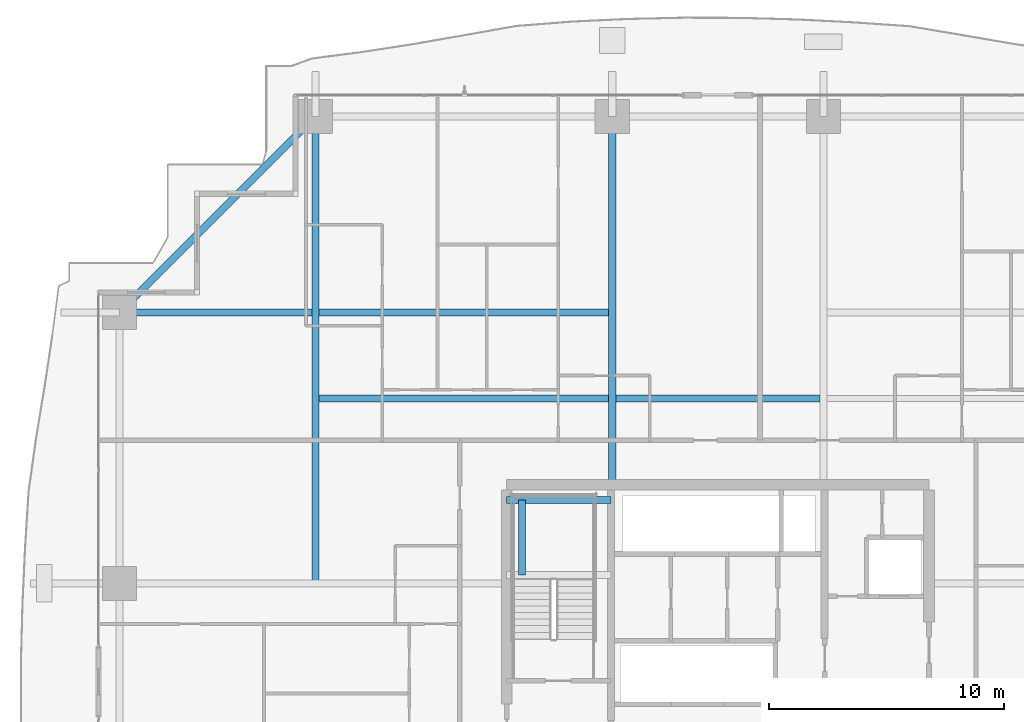
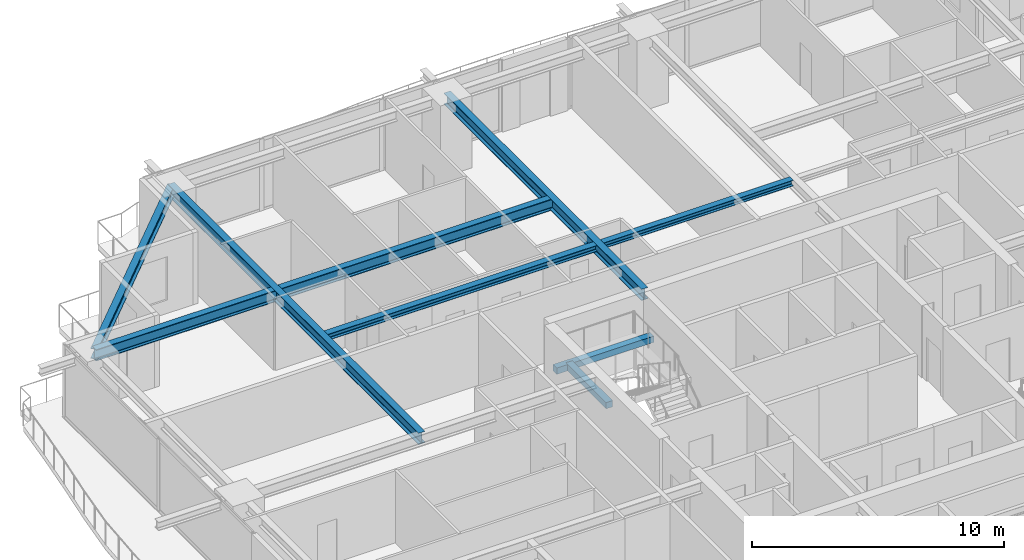
# One storey, part 16 of 36: 8 beams.
"""IFC4 building model written with IfcOpenShell, lengths in metres."""

from ifc_helpers import new_model, si_unit, direction, frame, origin, origin_2d, place, context, subcontext, project, spatial, rectangle, i_section, extrude, source, transform, mapped, material, material_profile, profile_set, type_object, element, save


model = new_model("IFC4")

# Units and contexts
model_context = context("Model", 3, precision=1e-05, world=origin(), true_north=direction((0.0, 1.0)))
body_context = subcontext(model_context, "Body", "Model", "MODEL_VIEW")
ifc_project = project(units=[si_unit("LENGTHUNIT", "METRE"), si_unit("AREAUNIT", "SQUARE_METRE"), si_unit("VOLUMEUNIT", "CUBIC_METRE"), si_unit("PLANEANGLEUNIT", "RADIAN"), si_unit("MASSUNIT", "GRAM", prefix="KILO")], contexts=[model_context])

# Site, building, storey
site_placement = place(None, origin())
site = spatial("IfcSite", under=ifc_project, at=site_placement, CompositionType="ELEMENT")
building_placement = place(site_placement, origin())
building = spatial("IfcBuilding", under=site, at=building_placement, Name="Serunith Strait Residences", CompositionType="ELEMENT")
storey_placement = place(building_placement, frame((0.0, 0.0, 41.699951171875)))
storey = spatial("IfcBuildingStorey", under=building, at=storey_placement, Name="L09", CompositionType="ELEMENT", Elevation=41.699951171875)

# Beams
ifc_material_1 = material(Name="Steel S355J2", Category="steel")
ifc_material_profile_1 = material_profile(ifc_material_1, i_section(OverallWidth=0.300048828125, OverallDepth=0.550048828125, WebThickness=0.014892578125, FlangeThickness=0.029052734375, FilletRadius=0.027099609375, at=origin_2d()), Name="HEB 550")
ifc_profile_set_1 = profile_set([ifc_material_profile_1], Name="Steel S355J2")
beam_type_1 = type_object("IfcBeamType", Name="BM-HEB550", PredefinedType="BEAM", material=ifc_profile_set_1)
shared_shape_1 = source(origin(), body_context, "Body", "SweptSolid", [
    extrude(i_section(OverallWidth=0.300048828125, OverallDepth=0.550048828125, WebThickness=0.014892578125, FlangeThickness=0.029052734375, FilletRadius=0.027099609375, at=origin_2d()), origin(), (0.0, 0.0, 1.0), 15.699951171875),
])
beam_1_placement = place(storey_placement, frame((27.89990234375, 33.60009765625, 3.212158203125), z_axis=(0.0, 1.0, 0.0), x_axis=(-1.0, 0.0, 0.0)))
element("IfcBeam", 1, at=beam_1_placement, inside=storey, type_object=beam_type_1, Name="L09 Primary Floor Girder TC-N2", PredefinedType="BEAM", context=body_context, shape_type="MappedRepresentation", body=[
    mapped(shared_shape_1, transform((0.0, 0.0, 0.0), scale=1.0)),
])
shared_shape_2 = source(origin(), body_context, "Body", "SweptSolid", [
    extrude(i_section(OverallWidth=0.300048828125, OverallDepth=0.550048828125, WebThickness=0.014892578125, FlangeThickness=0.029052734375, FilletRadius=0.027099609375, at=origin_2d()), origin(), (0.0, 0.0, 1.0), 19.900146484375),
])
beam_2_placement = place(storey_placement, frame((15.25, 29.39990234375, 3.212158203125), z_axis=(0.0, 1.0, 0.0), x_axis=(-1.0, 0.0, 0.0)))
element("IfcBeam", 2, at=beam_2_placement, inside=storey, type_object=beam_type_1, Name="L09 Orthogonal Corner Girder TC-N1", PredefinedType="BEAM", context=body_context, shape_type="MappedRepresentation", body=[
    mapped(shared_shape_2, transform((0.0, 0.0, 0.0), scale=1.0)),
])
shared_shape_3 = source(origin(), body_context, "Body", "SweptSolid", [
    extrude(i_section(OverallWidth=0.300048828125, OverallDepth=0.550048828125, WebThickness=0.014892578125, FlangeThickness=0.029052734375, FilletRadius=0.027099609375, at=origin_2d()), origin(), (0.0, 0.0, 1.0), 21.0),
])
beam_3_placement = place(storey_placement, frame((27.89990234375, 40.949951171875, 3.212158203125), z_axis=(-1.0, 0.0, 0.0), x_axis=(0.0, -1.0, 0.0)))
element("IfcBeam", 3, at=beam_3_placement, inside=storey, type_object=beam_type_1, Name="L09 Orthogonal Corner Girder TC-W4", PredefinedType="BEAM", context=body_context, shape_type="MappedRepresentation", body=[
    mapped(shared_shape_3, transform((0.0, 0.0, 0.0), scale=1.0)),
])
ifc_material_profile_2 = material_profile(ifc_material_1, i_section(OverallWidth=0.300048828125, OverallDepth=0.5, WebThickness=0.014404296875, FlangeThickness=0.028076171875, FilletRadius=0.027099609375, at=origin_2d()), Name="HEB 500")
ifc_profile_set_2 = profile_set([ifc_material_profile_2], Name="Steel S355J2")
beam_type_2 = type_object("IfcBeamType", Name="BM-HEB500", PredefinedType="BEAM", material=ifc_profile_set_2)
shared_shape_4 = source(origin(), body_context, "Body", "SweptSolid", [
    extrude(i_section(OverallWidth=0.300048828125, OverallDepth=0.5, WebThickness=0.014404296875, FlangeThickness=0.028076171875, FilletRadius=0.027099609375, at=origin_2d()), origin(), (0.0, 0.0, 1.0), 11.808837890625),
])
beam_4_placement = place(storey_placement, frame((15.25, 49.300048828125, 3.20703125), z_axis=(-0.707106781187, -0.707106781187, 0.0), x_axis=(0.707106781187, -0.707106781187, 0.0)))
element("IfcBeam", 4, at=beam_4_placement, inside=storey, type_object=beam_type_2, Name="L09 Perimeter Ring Beam 12", PredefinedType="BEAM", context=body_context, shape_type="MappedRepresentation", body=[
    mapped(shared_shape_4, transform((0.0, 0.0, 0.0), scale=1.0)),
])
ifc_material_profile_3 = material_profile(ifc_material_1, i_section(OverallWidth=0.300048828125, OverallDepth=0.300048828125, WebThickness=0.010986328125, FlangeThickness=0.01904296875, FilletRadius=0.027099609375, at=origin_2d()), Name="HEB 300")
ifc_profile_set_3 = profile_set([ifc_material_profile_3], Name="Steel S355J2")
beam_type_3 = type_object("IfcBeamType", Name="BM-HEB300", PredefinedType="JOIST", material=ifc_profile_set_3)
shared_shape_5 = source(origin(), body_context, "Body", "SweptSolid", [
    extrude(i_section(OverallWidth=0.300048828125, OverallDepth=0.300048828125, WebThickness=0.010986328125, FlangeThickness=0.01904296875, FilletRadius=0.027099609375, at=origin_2d()), origin(), (0.0, 0.0, 1.0), 12.35009765625),
])
beam_5_placement = place(storey_placement, frame((15.39990234375, 37.27490234375, 3.337158203125), z_axis=(1.0, 0.0, 0.0), x_axis=(0.0, 1.0, 0.0)))
element("IfcBeam", 5, at=beam_5_placement, inside=storey, type_object=beam_type_3, Name="L09 Composite Floor Joist 04", PredefinedType="JOIST", context=body_context, shape_type="MappedRepresentation", body=[
    mapped(shared_shape_5, transform((0.0, 0.0, 0.0), scale=1.0)),
])
ifc_material_profile_4 = material_profile(ifc_material_1, i_section(OverallWidth=0.280029296875, OverallDepth=0.280029296875, WebThickness=0.010498046875, FlangeThickness=0.01806640625, FilletRadius=0.02392578125, at=origin_2d()), Name="HEB 280")
ifc_profile_set_4 = profile_set([ifc_material_profile_4], Name="Steel S355J2")
beam_type_4 = type_object("IfcBeamType", Name="BM-HEB280", PredefinedType="JOIST", material=ifc_profile_set_4)
shared_shape_6 = source(origin(), body_context, "Body", "SweptSolid", [
    extrude(i_section(OverallWidth=0.280029296875, OverallDepth=0.280029296875, WebThickness=0.010498046875, FlangeThickness=0.01806640625, FilletRadius=0.02392578125, at=origin_2d()), origin(), (0.0, 0.0, 1.0), 8.699951171875),
])
beam_6_placement = place(storey_placement, frame((28.050048828125, 37.27490234375, 3.34716796875), z_axis=(1.0, 0.0, 0.0), x_axis=(0.0, 1.0, 0.0)))
element("IfcBeam", 6, at=beam_6_placement, inside=storey, type_object=beam_type_4, Name="L09 Composite Floor Joist 05", PredefinedType="JOIST", context=body_context, shape_type="MappedRepresentation", body=[
    mapped(shared_shape_6, transform((0.0, 0.0, 0.0), scale=1.0)),
])
ifc_material_2 = material(Name="Concrete C60/75", Category="concrete")
ifc_material_profile_5 = material_profile(ifc_material_2, rectangle(XDim=0.300048828125, YDim=0.300048828125, at=origin_2d()), Name="RC 300x300")
ifc_profile_set_5 = profile_set([ifc_material_profile_5], Name="Concrete C60/75")
beam_type_5 = type_object("IfcBeamType", Name="BM-LAND-300x300", PredefinedType="BEAM", material=ifc_profile_set_5)
shared_shape_7 = source(origin(), body_context, "Body", "SweptSolid", [
    extrude(rectangle(XDim=0.300048828125, YDim=0.300048828125, at=origin_2d()), origin(), (0.0, 0.0, 1.0), 4.4501953125),
])
beam_7_placement = place(storey_placement, frame((23.39990234375, 32.949951171875, 1.525146484375), z_axis=(1.0, 0.0, 0.0), x_axis=(0.0, 1.0, 0.0)))
element("IfcBeam", 7, at=beam_7_placement, inside=storey, type_object=beam_type_5, Name="L09 ST-1 Landing Support Beam 2", PredefinedType="BEAM", context=body_context, shape_type="MappedRepresentation", body=[
    mapped(shared_shape_7, transform((0.0, 0.0, 0.0), scale=1.0)),
])
shared_shape_8 = source(origin(), body_context, "Body", "SweptSolid", [
    extrude(rectangle(XDim=0.300048828125, YDim=0.300048828125, at=origin_2d()), origin(), (0.0, 0.0, 1.0), 3.199951171875),
])
beam_8_placement = place(storey_placement, frame((24.050048828125, 29.75, 1.525146484375), z_axis=(0.0, 1.0, 0.0), x_axis=(-1.0, 0.0, 0.0)))
element("IfcBeam", 8, at=beam_8_placement, inside=storey, type_object=beam_type_5, Name="L09 ST-1 Landing Transverse Tie Beam", PredefinedType="BEAM", context=body_context, shape_type="MappedRepresentation", body=[
    mapped(shared_shape_8, transform((0.0, 0.0, 0.0), scale=1.0)),
])

save(model, "model.ifc")
